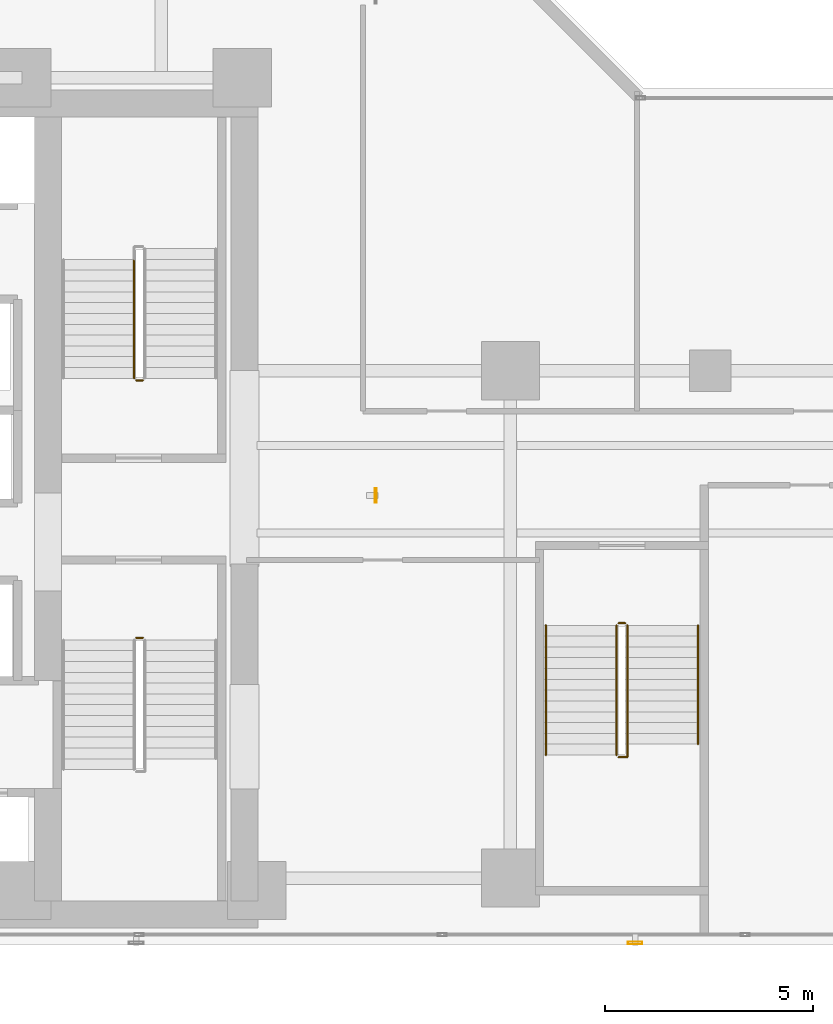
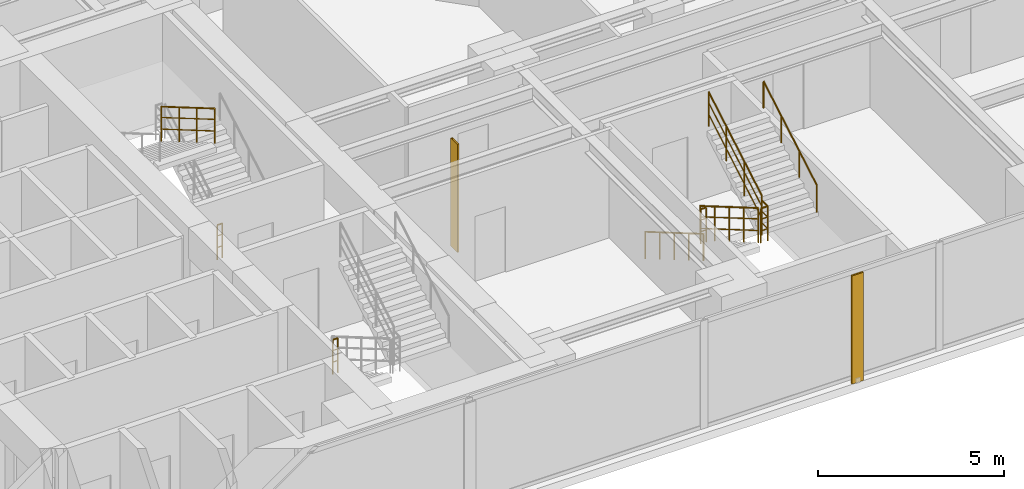
# One storey, part 25 of 28: 9 railings, 2 shading devices.
"""IFC4 building model written with IfcOpenShell, lengths in metres."""

from ifc_helpers import new_model, si_unit, direction, frame, origin, origin_2d, place, context, subcontext, project, spatial, hollow_rectangle, circle, extrude, material, material_profile, profile_set, type_object, element, save


model = new_model("IFC4")

# Units and contexts
model_context = context("Model", 3, precision=1e-05, world=origin(), true_north=direction((0.0, 1.0)))
body_context = subcontext(model_context, "Body", "Model", "MODEL_VIEW")
ifc_project = project(units=[si_unit("LENGTHUNIT", "METRE"), si_unit("AREAUNIT", "SQUARE_METRE"), si_unit("VOLUMEUNIT", "CUBIC_METRE"), si_unit("PLANEANGLEUNIT", "RADIAN"), si_unit("MASSUNIT", "GRAM", prefix="KILO")], contexts=[model_context])

# Site, building, storey
site_placement = place(None, origin())
site = spatial("IfcSite", under=ifc_project, at=site_placement, CompositionType="ELEMENT")
building_placement = place(site_placement, origin())
building = spatial("IfcBuilding", under=site, at=building_placement, Name="Kolvaren Waterfront Exchange", CompositionType="ELEMENT")
storey_placement = place(building_placement, frame((0.0, 0.0, 103.10009765625)))
storey = spatial("IfcBuildingStorey", under=building, at=storey_placement, Name="L26", CompositionType="ELEMENT", Elevation=103.10009765625)

# Shading devices
ifc_material_1 = material(Name="Anodised bronze aluminium 6063-T6", Category="aluminium")
ifc_material_profile = material_profile(ifc_material_1, hollow_rectangle(XDim=0.06005859375, YDim=0.35009765625, WallThickness=0.0048828125, at=origin_2d()), Name="BRZ-FIN-350x60x5")
ifc_profile_set = profile_set([ifc_material_profile], Name="Anodised bronze aluminium 6063-T6")
shading_device_type = type_object("IfcShadingDeviceType", Name="ARC-FIN-350", PredefinedType="USERDEFINED", material=ifc_profile_set)
for number, where, z_axis, x_axis, name in (
    (1, (30.199951171875, 3.639892578125, 0.0), (0.0, 0.0, 1.0), (0.0, -1.0, 0.0), "L26 anodised bronze solar shading fin FIN-L26-S3"),
    (2, (23.9599609375, 14.39990234375, 0.0), (0.0, 0.0, 1.0), (1.0, 0.0, 0.0), "L26 anodised bronze solar shading fin FIN-L26-E1"),
):
    element("IfcShadingDevice", number, at=place(storey_placement, frame(where, z_axis=z_axis, x_axis=x_axis)), inside=storey, type_object=shading_device_type, Name=name, ObjectType="SOLAR FIN", PredefinedType="USERDEFINED", context=body_context, shape_type="SweptSolid", body=[
        extrude(hollow_rectangle(XDim=0.06005859375, YDim=0.35009765625, WallThickness=0.0048828125, at=origin_2d()), origin(), (0.0, 0.0, 1.0), 3.539794921875),
    ])

# Railings
ifc_material_2 = material(Name="Stainless steel 316", Category="steel")
railing_type_1 = type_object("IfcRailingType", Name="ARC-GUARD-STAIR", PredefinedType="GUARDRAIL", material=ifc_material_2)
railing_1_placement = place(storey_placement, frame((18.199951171875, 10.97998046875, 0.0)))
element("IfcRailing", 3, at=railing_1_placement, inside=storey, type_object=railing_type_1, Name="L26 ST1 stair guard 4", PredefinedType="GUARDRAIL", context=body_context, shape_type="SweptSolid", body=[
    extrude(circle(Radius=0.02392578125, at=origin_2d()), frame((0.0, 0.0, 1.1259765625), z_axis=(1.0, 0.0, 0.0), x_axis=(0.0, 1.0, 0.0)), (0.0, 0.0, 1.0), 0.16015625),
    extrude(circle(Radius=0.01611328125, at=origin_2d()), frame((0.0, 0.0, 0.390869140625), z_axis=(1.0, 0.0, 0.0), x_axis=(0.0, 1.0, 0.0)), (0.0, 0.0, 1.0), 0.16015625),
    extrude(circle(Radius=0.01611328125, at=origin_2d()), frame((0.0, 0.0, 0.7705078125), z_axis=(1.0, 0.0, 0.0), x_axis=(0.0, 1.0, 0.0)), (0.0, 0.0, 1.0), 0.16015625),
    extrude(circle(Radius=0.02099609375, at=origin_2d()), origin(), (0.0, 0.0, 1.0), 1.101806640625),
    extrude(circle(Radius=0.02099609375, at=origin_2d()), frame((0.16015625, 0.0, 0.0)), (0.0, 0.0, 1.0), 1.101806640625),
])
railing_2_placement = place(storey_placement, frame((18.14990234375, 20.080078125, 2.1279296875)))
element("IfcRailing", 4, at=railing_2_placement, inside=storey, type_object=railing_type_1, Name="L26 ST2 stair guard 3", PredefinedType="GUARDRAIL", context=body_context, shape_type="SweptSolid", body=[
    extrude(circle(Radius=0.02392578125, at=origin_2d()), frame((0.0, 0.0, 1.1259765625), z_axis=(0.0, -0.863321491973, 0.504654338629), x_axis=(1.0, 0.0, 0.0)), (0.0, 0.0, 1.0), 3.31298828125),
    extrude(circle(Radius=0.01611328125, at=origin_2d()), frame((0.0, 0.0, 0.390869140625), z_axis=(0.0, -0.863321491973, 0.504654338629), x_axis=(1.0, 0.0, 0.0)), (0.0, 0.0, 1.0), 3.31298828125),
    extrude(circle(Radius=0.01611328125, at=origin_2d()), frame((0.0, 0.0, 0.7705078125), z_axis=(0.0, -0.863321491973, 0.504654338629), x_axis=(1.0, 0.0, 0.0)), (0.0, 0.0, 1.0), 3.31298828125),
    extrude(circle(Radius=0.02099609375, at=origin_2d()), origin(), (0.0, 0.0, 1.0), 1.101806640625),
    extrude(circle(Radius=0.02099609375, at=origin_2d()), frame((0.0, -0.953369140625, 0.557373046875)), (0.0, 0.0, 1.0), 1.101806640625),
    extrude(circle(Radius=0.02099609375, at=origin_2d()), frame((0.0, -1.90673828125, 1.114501953125)), (0.0, 0.0, 1.0), 1.101806640625),
    extrude(circle(Radius=0.02099609375, at=origin_2d()), frame((0.0, -2.860107421875, 1.671875)), (0.0, 0.0, 1.0), 1.101806640625),
])
railing_3_placement = place(storey_placement, frame((18.360107421875, 17.169921875, 0.0)))
element("IfcRailing", 5, at=railing_3_placement, inside=storey, type_object=railing_type_1, Name="L26 ST2 stair guard 4", PredefinedType="GUARDRAIL", context=body_context, shape_type="SweptSolid", body=[
    extrude(circle(Radius=0.02392578125, at=origin_2d()), frame((0.0, 0.0, 1.1259765625), z_axis=(-1.0, 0.0, 0.0), x_axis=(0.0, -1.0, 0.0)), (0.0, 0.0, 1.0), 0.16015625),
    extrude(circle(Radius=0.01611328125, at=origin_2d()), frame((0.0, 0.0, 0.390869140625), z_axis=(-1.0, 0.0, 0.0), x_axis=(0.0, -1.0, 0.0)), (0.0, 0.0, 1.0), 0.16015625),
    extrude(circle(Radius=0.01611328125, at=origin_2d()), frame((0.0, 0.0, 0.7705078125), z_axis=(-1.0, 0.0, 0.0), x_axis=(0.0, -1.0, 0.0)), (0.0, 0.0, 1.0), 0.16015625),
    extrude(circle(Radius=0.02099609375, at=origin_2d()), origin(), (0.0, 0.0, 1.0), 1.101806640625),
    extrude(circle(Radius=0.02099609375, at=origin_2d()), frame((-0.16015625, 0.0, 0.0)), (0.0, 0.0, 1.0), 1.101806640625),
])
railing_4_placement = place(storey_placement, frame((29.75, 11.280029296875, 0.15185546875)))
element("IfcRailing", 6, at=railing_4_placement, inside=storey, type_object=railing_type_1, Name="L26 ST3 stair guard 1", PredefinedType="GUARDRAIL", context=body_context, shape_type="SweptSolid", body=[
    extrude(circle(Radius=0.02392578125, at=origin_2d()), frame((0.0, 0.0, 1.1259765625), z_axis=(0.0, -0.86330811405, 0.504677223793), x_axis=(1.0, 0.0, 0.0)), (0.0, 0.0, 1.0), 3.6142578125),
    extrude(circle(Radius=0.01611328125, at=origin_2d()), frame((0.0, 0.0, 0.390869140625), z_axis=(0.0, -0.86330811405, 0.504677223793), x_axis=(1.0, 0.0, 0.0)), (0.0, 0.0, 1.0), 3.6142578125),
    extrude(circle(Radius=0.01611328125, at=origin_2d()), frame((0.0, 0.0, 0.7705078125), z_axis=(0.0, -0.86330811405, 0.504677223793), x_axis=(1.0, 0.0, 0.0)), (0.0, 0.0, 1.0), 3.6142578125),
    extrude(circle(Radius=0.02099609375, at=origin_2d()), origin(), (0.0, 0.0, 1.0), 1.101806640625),
    extrude(circle(Radius=0.02099609375, at=origin_2d()), frame((0.0, -0.780029296875, 0.4560546875)), (0.0, 0.0, 1.0), 1.101806640625),
    extrude(circle(Radius=0.02099609375, at=origin_2d()), frame((0.0, -1.56005859375, 0.912109375)), (0.0, 0.0, 1.0), 1.101806640625),
    extrude(circle(Radius=0.02099609375, at=origin_2d()), frame((0.0, -2.340087890625, 1.367919921875)), (0.0, 0.0, 1.0), 1.101806640625),
    extrude(circle(Radius=0.02099609375, at=origin_2d()), frame((0.0, -3.1201171875, 1.823974609375)), (0.0, 0.0, 1.0), 1.101806640625),
])
railing_5_placement = place(storey_placement, frame((29.800048828125, 8.110107421875, 1.975830078125)))
element("IfcRailing", 7, at=railing_5_placement, inside=storey, type_object=railing_type_1, Name="L26 ST3 stair guard 2", PredefinedType="GUARDRAIL", context=body_context, shape_type="SweptSolid", body=[
    extrude(circle(Radius=0.02392578125, at=origin_2d()), frame((0.0, 0.0, 1.1259765625), z_axis=(1.0, 0.0, 0.0), x_axis=(0.0, 1.0, 0.0)), (0.0, 0.0, 1.0), 0.2099609375),
    extrude(circle(Radius=0.01611328125, at=origin_2d()), frame((0.0, 0.0, 0.390869140625), z_axis=(1.0, 0.0, 0.0), x_axis=(0.0, 1.0, 0.0)), (0.0, 0.0, 1.0), 0.2099609375),
    extrude(circle(Radius=0.01611328125, at=origin_2d()), frame((0.0, 0.0, 0.7705078125), z_axis=(1.0, 0.0, 0.0), x_axis=(0.0, 1.0, 0.0)), (0.0, 0.0, 1.0), 0.2099609375),
    extrude(circle(Radius=0.02392578125, at=origin_2d()), frame((0.2099609375, 0.0, 1.1259765625), z_axis=(0.0, 1.0, 0.0), x_axis=(-1.0, 0.0, 0.0)), (0.0, 0.0, 1.0), 0.309814453125),
    extrude(circle(Radius=0.01611328125, at=origin_2d()), frame((0.2099609375, 0.0, 0.390869140625), z_axis=(0.0, 1.0, 0.0), x_axis=(-1.0, 0.0, 0.0)), (0.0, 0.0, 1.0), 0.309814453125),
    extrude(circle(Radius=0.01611328125, at=origin_2d()), frame((0.2099609375, 0.0, 0.7705078125), z_axis=(0.0, 1.0, 0.0), x_axis=(-1.0, 0.0, 0.0)), (0.0, 0.0, 1.0), 0.309814453125),
    extrude(circle(Radius=0.02099609375, at=origin_2d()), origin(), (0.0, 0.0, 1.0), 1.101806640625),
    extrude(circle(Radius=0.02099609375, at=origin_2d()), frame((0.2099609375, 0.0, 0.0)), (0.0, 0.0, 1.0), 1.101806640625),
    extrude(circle(Radius=0.02099609375, at=origin_2d()), frame((0.2099609375, 0.309814453125, 0.0)), (0.0, 0.0, 1.0), 1.101806640625),
])
railing_6_placement = place(storey_placement, frame((30.010009765625, 8.419921875, 2.1279296875)))
element("IfcRailing", 8, at=railing_6_placement, inside=storey, type_object=railing_type_1, Name="L26 ST3 stair guard 3", PredefinedType="GUARDRAIL", context=body_context, shape_type="SweptSolid", body=[
    extrude(circle(Radius=0.02392578125, at=origin_2d()), frame((0.0, 0.0, 1.1259765625), z_axis=(0.0, 0.863321491973, 0.504654338629), x_axis=(-1.0, 0.0, 0.0)), (0.0, 0.0, 1.0), 3.31298828125),
    extrude(circle(Radius=0.01611328125, at=origin_2d()), frame((0.0, 0.0, 0.390869140625), z_axis=(0.0, 0.863321491973, 0.504654338629), x_axis=(-1.0, 0.0, 0.0)), (0.0, 0.0, 1.0), 3.31298828125),
    extrude(circle(Radius=0.01611328125, at=origin_2d()), frame((0.0, 0.0, 0.7705078125), z_axis=(0.0, 0.863321491973, 0.504654338629), x_axis=(-1.0, 0.0, 0.0)), (0.0, 0.0, 1.0), 3.31298828125),
    extrude(circle(Radius=0.02099609375, at=origin_2d()), origin(), (0.0, 0.0, 1.0), 1.101806640625),
    extrude(circle(Radius=0.02099609375, at=origin_2d()), frame((0.0, 0.953369140625, 0.557373046875)), (0.0, 0.0, 1.0), 1.101806640625),
    extrude(circle(Radius=0.02099609375, at=origin_2d()), frame((0.0, 1.90673828125, 1.114501953125)), (0.0, 0.0, 1.0), 1.101806640625),
    extrude(circle(Radius=0.02099609375, at=origin_2d()), frame((0.0, 2.860107421875, 1.671875)), (0.0, 0.0, 1.0), 1.101806640625),
])
railing_7_placement = place(storey_placement, frame((29.800048828125, 11.330078125, 0.0)))
element("IfcRailing", 9, at=railing_7_placement, inside=storey, type_object=railing_type_1, Name="L26 ST3 stair guard 4", PredefinedType="GUARDRAIL", context=body_context, shape_type="SweptSolid", body=[
    extrude(circle(Radius=0.02392578125, at=origin_2d()), frame((0.0, 0.0, 1.1259765625), z_axis=(1.0, 0.0, 0.0), x_axis=(0.0, 1.0, 0.0)), (0.0, 0.0, 1.0), 0.159912109375),
    extrude(circle(Radius=0.01611328125, at=origin_2d()), frame((0.0, 0.0, 0.390869140625), z_axis=(1.0, 0.0, 0.0), x_axis=(0.0, 1.0, 0.0)), (0.0, 0.0, 1.0), 0.159912109375),
    extrude(circle(Radius=0.01611328125, at=origin_2d()), frame((0.0, 0.0, 0.7705078125), z_axis=(1.0, 0.0, 0.0), x_axis=(0.0, 1.0, 0.0)), (0.0, 0.0, 1.0), 0.159912109375),
    extrude(circle(Radius=0.02099609375, at=origin_2d()), origin(), (0.0, 0.0, 1.0), 1.101806640625),
    extrude(circle(Radius=0.02099609375, at=origin_2d()), frame((0.159912109375, 0.0, 0.0)), (0.0, 0.0, 1.0), 1.101806640625),
])
railing_type_2 = type_object("IfcRailingType", Name="ARC-HANDRAIL-900", PredefinedType="HANDRAIL", material=ifc_material_2)
railing_8_placement = place(storey_placement, frame((28.050048828125, 11.280029296875, 0.15185546875)))
element("IfcRailing", 10, at=railing_8_placement, inside=storey, type_object=railing_type_2, Name="L26 ST3 stair handrail 1", PredefinedType="HANDRAIL", context=body_context, shape_type="SweptSolid", body=[
    extrude(circle(Radius=0.02392578125, at=origin_2d()), frame((0.0, 0.0, 0.8759765625), z_axis=(0.0, -0.86330811405, 0.504677223793), x_axis=(1.0, 0.0, 0.0)), (0.0, 0.0, 1.0), 3.6142578125),
    extrude(circle(Radius=0.02099609375, at=origin_2d()), origin(), (0.0, 0.0, 1.0), 0.851806640625),
    extrude(circle(Radius=0.02099609375, at=origin_2d()), frame((0.0, -0.780029296875, 0.4560546875)), (0.0, 0.0, 1.0), 0.851806640625),
    extrude(circle(Radius=0.02099609375, at=origin_2d()), frame((0.0, -1.56005859375, 0.912109375)), (0.0, 0.0, 1.0), 0.851806640625),
    extrude(circle(Radius=0.02099609375, at=origin_2d()), frame((0.0, -2.340087890625, 1.367919921875)), (0.0, 0.0, 1.0), 0.851806640625),
    extrude(circle(Radius=0.02099609375, at=origin_2d()), frame((0.0, -3.1201171875, 1.823974609375)), (0.0, 0.0, 1.0), 0.851806640625),
])
railing_9_placement = place(storey_placement, frame((31.7099609375, 8.419921875, 2.1279296875)))
element("IfcRailing", 11, at=railing_9_placement, inside=storey, type_object=railing_type_2, Name="L26 ST3 stair handrail 2", PredefinedType="HANDRAIL", context=body_context, shape_type="SweptSolid", body=[
    extrude(circle(Radius=0.02392578125, at=origin_2d()), frame((0.0, 0.0, 0.8759765625), z_axis=(0.0, 0.863321491973, 0.504654338629), x_axis=(-1.0, 0.0, 0.0)), (0.0, 0.0, 1.0), 3.31298828125),
    extrude(circle(Radius=0.02099609375, at=origin_2d()), origin(), (0.0, 0.0, 1.0), 0.851806640625),
    extrude(circle(Radius=0.02099609375, at=origin_2d()), frame((0.0, 0.953369140625, 0.557373046875)), (0.0, 0.0, 1.0), 0.851806640625),
    extrude(circle(Radius=0.02099609375, at=origin_2d()), frame((0.0, 1.90673828125, 1.114501953125)), (0.0, 0.0, 1.0), 0.851806640625),
    extrude(circle(Radius=0.02099609375, at=origin_2d()), frame((0.0, 2.860107421875, 1.671875)), (0.0, 0.0, 1.0), 0.851806640625),
])

save(model, "model.ifc")
